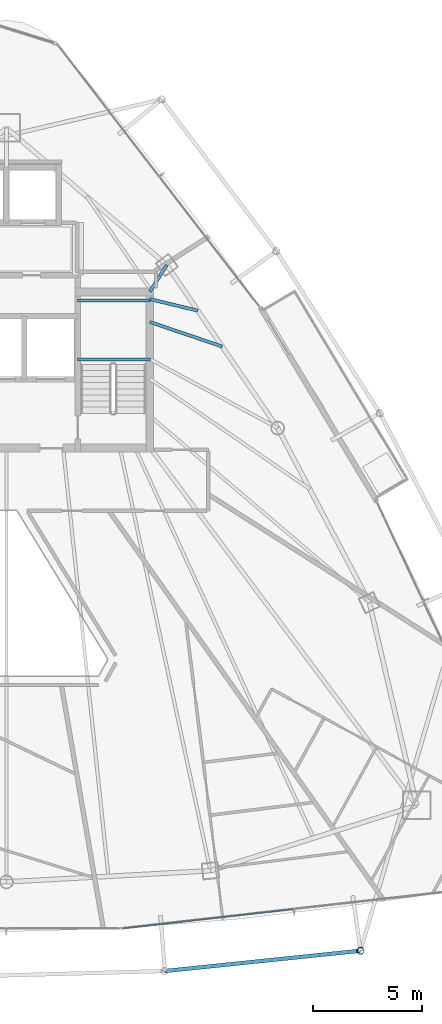
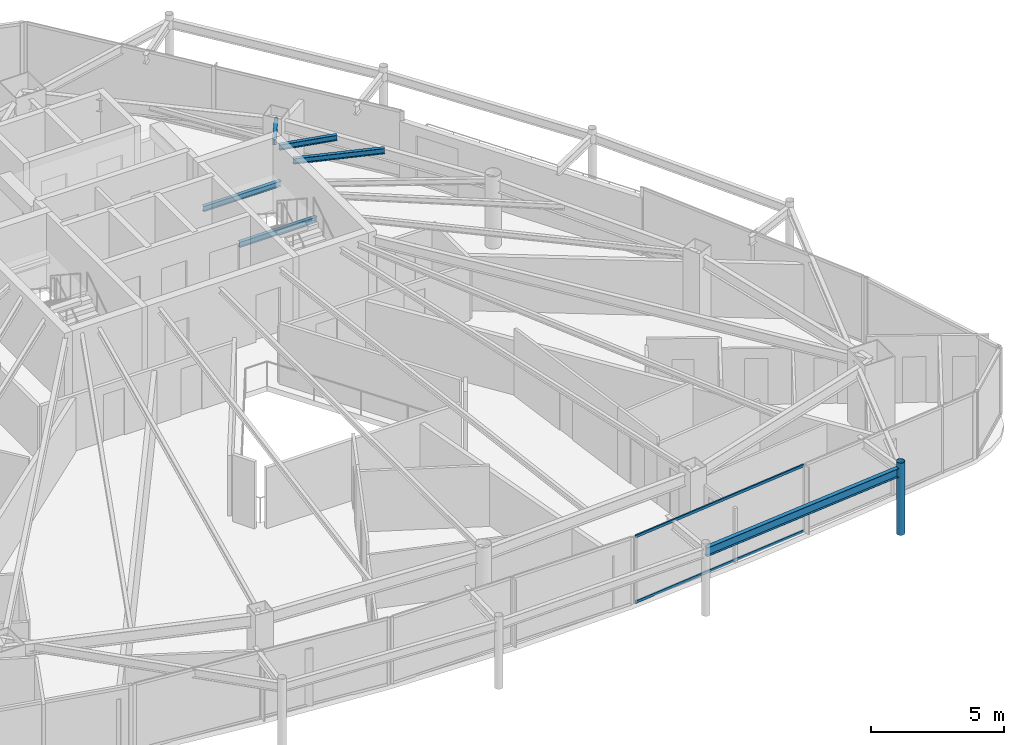
# One storey, part 14 of 33: 6 beams, 3 members, 1 element without a shape of its own.
"""IFC4 building model written with IfcOpenShell, lengths in metres."""

from ifc_helpers import new_model, si_unit, direction, frame, origin, origin_2d, place, context, subcontext, project, spatial, hollow_rectangle, hollow_circle, i_section, extrude, material, layer, layer_set, material_profile, profile_set, type_object, element, aggregate, save


model = new_model("IFC4")

# Units and contexts
model_context = context("Model", 3, precision=1e-05, world=origin(), true_north=direction((0.0, 1.0)))
body_context = subcontext(model_context, "Body", "Model", "MODEL_VIEW")
ifc_project = project(units=[si_unit("LENGTHUNIT", "METRE"), si_unit("AREAUNIT", "SQUARE_METRE"), si_unit("VOLUMEUNIT", "CUBIC_METRE"), si_unit("PLANEANGLEUNIT", "RADIAN"), si_unit("MASSUNIT", "GRAM", prefix="KILO")], contexts=[model_context])

# Site, building, storey
site_placement = place(None, origin())
site = spatial("IfcSite", under=ifc_project, at=site_placement, CompositionType="ELEMENT")
building_placement = place(site_placement, origin())
building = spatial("IfcBuilding", under=site, at=building_placement, Name="Orvanel Arch Residences", CompositionType="ELEMENT")
storey_placement = place(building_placement, frame((0.0, 0.0, 206.300048828125)))
storey = spatial("IfcBuildingStorey", under=building, at=storey_placement, Name="L58", CompositionType="ELEMENT", Elevation=206.300048828125)

# Beams
ifc_material_1 = material(Name="Structural steel AS/NZS 3679.1 Grade 300 (300 MPa)", Category="steel")
ifc_material_profile_1 = material_profile(ifc_material_1, i_section(OverallWidth=0.14599609375, OverallDepth=0.251953125, WebThickness=0.006103515625, FlangeThickness=0.008544921875, at=origin_2d()), Name="250UB31.4")
ifc_profile_set_1 = profile_set([ifc_material_profile_1], Name="Structural steel AS/NZS 3679.1 Grade 300 (300 MPa)")
beam_type_1 = type_object("IfcBeamType", Name="BJ-250UB", PredefinedType="JOIST", material=ifc_profile_set_1)
for number, where, z_axis, x_axis, name in (
    (1, (36.25, 30.780029296875, 1.323974609375), (1.0, 0.0, 0.0), (0.0, 1.0, 0.0), "L58 ST-2 Half-Landing Support Beam 1.1"),
    (2, (36.25, 33.47998046875, 1.323974609375), (1.0, 0.0, 0.0), (0.0, 1.0, 0.0), "L58 ST-2 Half-Landing Support Beam 1.2"),
):
    element("IfcBeam", number, at=place(storey_placement, frame(where, z_axis=z_axis, x_axis=x_axis)), inside=storey, type_object=beam_type_1, Name=name, PredefinedType="JOIST", context=body_context, shape_type="SweptSolid", body=[
        extrude(i_section(OverallWidth=0.14599609375, OverallDepth=0.251953125, WebThickness=0.006103515625, FlangeThickness=0.008544921875, at=origin_2d()), origin(), (0.0, 0.0, 1.0), 3.35009765625),
    ])
beam_1_placement = place(storey_placement, frame((39.574951171875, 33.89990234375, 2.933837890625), z_axis=(0.539395075146, 0.842052820735, 0.0), x_axis=(-0.842052820735, 0.539395075146, 0.0)))
element("IfcBeam", 3, at=beam_1_placement, inside=storey, type_object=beam_type_1, Name="L58 NNE Wing Floor Joist", PredefinedType="JOIST", context=body_context, shape_type="SweptSolid", body=[
    extrude(i_section(OverallWidth=0.14599609375, OverallDepth=0.251953125, WebThickness=0.006103515625, FlangeThickness=0.008544921875, at=origin_2d()), origin(), (0.0, 0.0, 1.0), 1.440673828125),
])
beam_2_placement = place(storey_placement, frame((39.574951171875, 32.5, 2.933837890625), z_axis=(0.947159269453, -0.320763648641, 0.0), x_axis=(0.320763648641, 0.947159269453, 0.0)))
element("IfcBeam", 4, at=beam_2_placement, inside=storey, type_object=beam_type_1, Name="L58 ENE Wing Floor Joist", PredefinedType="JOIST", context=body_context, shape_type="SweptSolid", body=[
    extrude(i_section(OverallWidth=0.14599609375, OverallDepth=0.251953125, WebThickness=0.006103515625, FlangeThickness=0.008544921875, at=origin_2d()), origin(), (0.0, 0.0, 1.0), 3.501220703125),
])
beam_3_placement = place(storey_placement, frame((39.574951171875, 33.550048828125, 2.933837890625), z_axis=(0.972256833016, -0.23391590509, 0.0), x_axis=(0.23391590509, 0.972256833016, 0.0)))
element("IfcBeam", 5, at=beam_3_placement, inside=storey, type_object=beam_type_1, Name="L58 JADD4 Wing Floor Joist", PredefinedType="JOIST", context=body_context, shape_type="SweptSolid", body=[
    extrude(i_section(OverallWidth=0.14599609375, OverallDepth=0.251953125, WebThickness=0.006103515625, FlangeThickness=0.008544921875, at=origin_2d()), origin(), (0.0, 0.0, 1.0), 2.26171875),
])
ifc_material_profile_2 = material_profile(ifc_material_1, i_section(OverallWidth=0.177978515625, OverallDepth=0.406005859375, WebThickness=0.0078125, FlangeThickness=0.0126953125, at=origin_2d()), Name="410UB59.7")
ifc_profile_set_2 = profile_set([ifc_material_profile_2], Name="Structural steel AS/NZS 3679.1 Grade 300 (300 MPa)")
beam_type_2 = type_object("IfcBeamType", Name="OB-410UB-EXT", PredefinedType="SPANDREL", material=ifc_profile_set_2)
beam_4_placement = place(storey_placement, frame((40.260986328125, 2.759033203125, 2.85693359375), z_axis=(0.994662112957, 0.103185662997, 0.0), x_axis=(-0.103185662997, 0.994662112957, 0.0)))
element("IfcBeam", 6, at=beam_4_placement, inside=storey, type_object=beam_type_2, Name="L58 Outer Perimeter Floor Ring Beam 07", PredefinedType="SPANDREL", context=body_context, shape_type="SweptSolid", body=[
    extrude(i_section(OverallWidth=0.177978515625, OverallDepth=0.406005859375, WebThickness=0.0078125, FlangeThickness=0.0126953125, at=origin_2d()), origin(), (0.0, 0.0, 1.0), 9.01220703125),
])

# Member
ifc_material_2 = material(Name="Structural steel AS/NZS 1163 C350L0 (Grade 350)", Category="steel")
ifc_material_profile_3 = material_profile(ifc_material_2, hollow_circle(Radius=0.162109375, WallThickness=0.0126953125, at=origin_2d()), Name="CHS324x12.7")
ifc_profile_set_3 = profile_set([ifc_material_profile_3], Name="Structural steel AS/NZS 1163 C350L0 (Grade 350)")
member_type_1 = type_object("IfcMemberType", Name="ST-324CHS-EXT", PredefinedType="STRUT", material=ifc_profile_set_3)
member_1_placement = place(storey_placement, frame((49.22509765625, 3.68896484375, 0.0), z_axis=(0.0, 0.0, 1.0), x_axis=(1.0, 0.0, 0.0)))
element("IfcMember", 7, at=member_1_placement, inside=storey, type_object=member_type_1, Name="L58 Outer Perimeter Frame Post 08", PredefinedType="STRUT", context=body_context, shape_type="SweptSolid", body=[
    extrude(hollow_circle(Radius=0.162109375, WallThickness=0.0126953125, at=origin_2d()), origin(), (0.0, 0.0, 1.0), 3.300048828125),
])

# Curtain wall, members
ifc_material_3 = material(Name="Bronze-anodised aluminium AA6063-T6", Category="aluminium")
ifc_layer = layer(ifc_material_3, 0.175048828125)
ifc_layer_set = layer_set([ifc_layer], Name="Bronze-anodised aluminium AA6063-T6")
curtain_wall_type = type_object("IfcCurtainWallType", Name="CW4-HI-SYS", PredefinedType="NOTDEFINED", material=ifc_layer_set)
curtain_wall_placement = place(storey_placement, origin())
curtain_wall = element("IfcCurtainWall", 8, at=curtain_wall_placement, inside=storey, type_object=curtain_wall_type, Name="L58 CW4-HI-SYS Unitised Curtain Wall", PredefinedType="NOTDEFINED")
ifc_material_profile_4 = material_profile(ifc_material_3, hollow_rectangle(XDim=0.06005859375, YDim=0.1201171875, WallThickness=0.00341796875, at=origin_2d()), Name="ALU120x60x3.5")
ifc_profile_set_4 = profile_set([ifc_material_profile_4], Name="Bronze-anodised aluminium AA6063-T6")
member_type_2 = type_object("IfcMemberType", Name="TRN-120x60", PredefinedType="USERDEFINED", material=ifc_profile_set_4)
member_2_placement = place(storey_placement, frame((38.3515625, 4.71630859375, 0.030029296875), z_axis=(0.993706100485, 0.112018685313, 0.0), x_axis=(-0.112018685313, 0.993706100485, 0.0)))
member_2 = element("IfcMember", 9, at=member_2_placement, type_object=member_type_2, Name="CW-S4 transom 1.1", ObjectType="TRANSOM", PredefinedType="USERDEFINED", context=body_context, shape_type="SweptSolid", body=[
    extrude(hollow_rectangle(XDim=0.06005859375, YDim=0.1201171875, WallThickness=0.00341796875, at=origin_2d()), origin(), (0.0, 0.0, 1.0), 7.8330078125),
])
member_3_placement = place(storey_placement, frame((38.3515625, 4.71630859375, 3.030029296875), z_axis=(0.993706100485, 0.112018685313, 0.0), x_axis=(-0.112018685313, 0.993706100485, 0.0)))
member_3 = element("IfcMember", 10, at=member_3_placement, type_object=member_type_2, Name="CW-S4 transom 1.2", ObjectType="TRANSOM", PredefinedType="USERDEFINED", context=body_context, shape_type="SweptSolid", body=[
    extrude(hollow_rectangle(XDim=0.06005859375, YDim=0.1201171875, WallThickness=0.00341796875, at=origin_2d()), origin(), (0.0, 0.0, 1.0), 7.8330078125),
])
aggregate(curtain_wall, [member_2, member_3])

save(model, "model.ifc")
